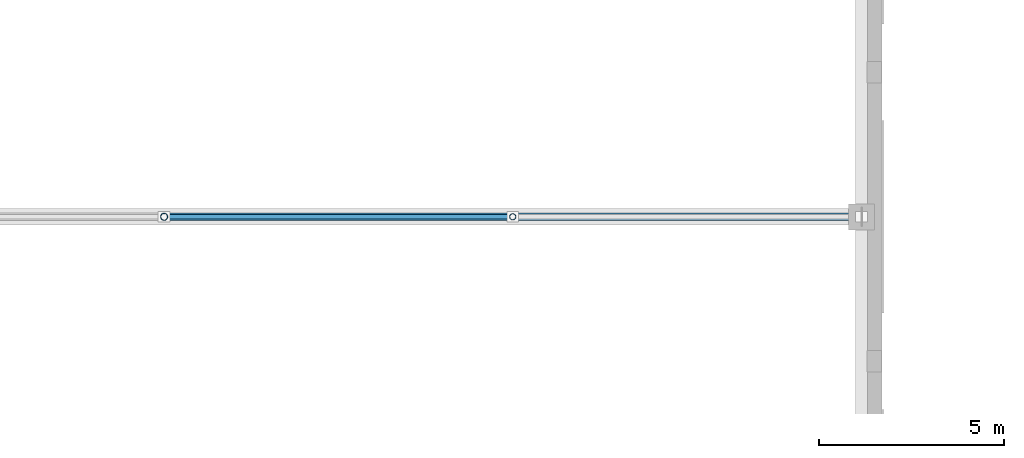
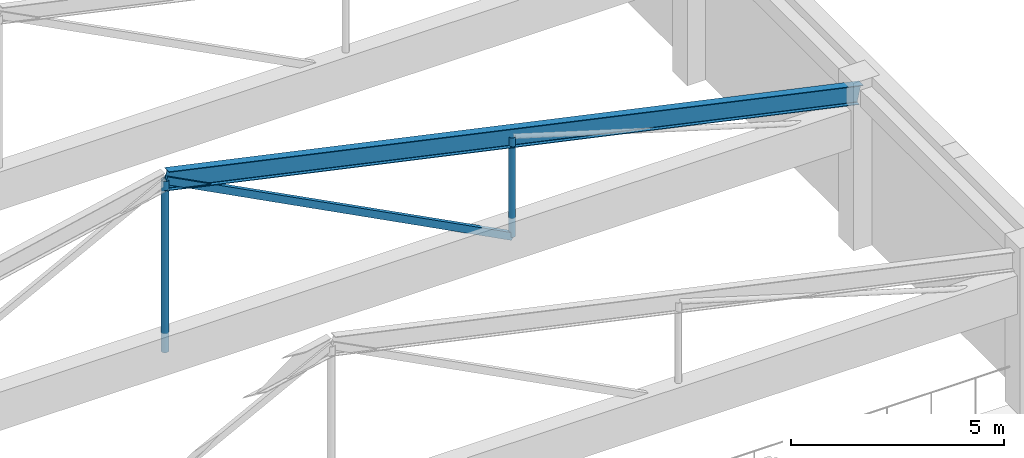
# One storey, part 28 of 105: 3 members, 1 beam.
"""IFC4 building model written with IfcOpenShell, lengths in metres."""

from ifc_helpers import new_model, si_unit, direction, frame, origin, origin_2d, place, context, subcontext, project, spatial, hollow_rectangle, hollow_circle, i_section, extrude, material, material_profile, profile_set, type_object, element, save


model = new_model("IFC4")

# Units and contexts
model_context = context("Model", 3, precision=1e-05, world=origin(), true_north=direction((0.0, 1.0)))
body_context = subcontext(model_context, "Body", "Model", "MODEL_VIEW")
ifc_project = project(units=[si_unit("LENGTHUNIT", "METRE"), si_unit("AREAUNIT", "SQUARE_METRE"), si_unit("VOLUMEUNIT", "CUBIC_METRE"), si_unit("PLANEANGLEUNIT", "RADIAN"), si_unit("MASSUNIT", "GRAM", prefix="KILO")], contexts=[model_context])

# Site, building, storey
site_placement = place(None, origin())
site = spatial("IfcSite", under=ifc_project, at=site_placement, CompositionType="ELEMENT")
building_placement = place(site_placement, origin())
building = spatial("IfcBuilding", under=site, at=building_placement, Name="Pelvatis Terrace Science Centre", CompositionType="ELEMENT")
storey_placement = place(building_placement, frame((0.0, 0.0, 10.199951171875)))
storey = spatial("IfcBuildingStorey", under=building, at=storey_placement, Name="L02", CompositionType="ELEMENT", Elevation=10.199951171875)

# Beam
ifc_material_1 = material(Name="Structural steel S355", Category="steel")
ifc_material_profile_1 = material_profile(ifc_material_1, i_section(OverallWidth=0.208984375, OverallDepth=0.532958984375, WebThickness=0.01025390625, FlangeThickness=0.015625, FilletRadius=0.013916015625, at=origin_2d()), Name="W530x92")
ifc_profile_set_1 = profile_set([ifc_material_profile_1], Name="Structural steel S355")
beam_type = type_object("IfcBeamType", Name="BM-STL-W530x92", PredefinedType="BEAM", material=ifc_profile_set_1)
beam_placement = place(storey_placement, frame((27.300048828125, 93.60009765625, 8.300048828125), z_axis=(0.977034495262, 0.0, -0.213081193603), x_axis=(0.0, 1.0, 0.0)))
element("IfcBeam", 1, at=beam_placement, inside=storey, type_object=beam_type, Name="Theatre roof truss 4 east top girder", PredefinedType="BEAM", context=body_context, shape_type="SweptSolid", body=[
    extrude(i_section(OverallWidth=0.208984375, OverallDepth=0.532958984375, WebThickness=0.01025390625, FlangeThickness=0.015625, FilletRadius=0.013916015625, at=origin_2d()), origin(), (0.0, 0.0, 1.0), 19.241943359375),
])

# Members
ifc_material_2 = material(Name="Structural steel S355", Category="steel")
ifc_material_profile_2 = material_profile(ifc_material_2, hollow_rectangle(XDim=0.1201171875, YDim=0.199951171875, WallThickness=0.00634765625, at=origin_2d()), Name="RHS 200x120x6.3")
ifc_profile_set_2 = profile_set([ifc_material_profile_2], Name="Structural steel S355")
member_type_1 = type_object("IfcMemberType", Name="MEM-BRC-RHS200", PredefinedType="BRACE", material=ifc_profile_set_2)
member_1_placement = place(storey_placement, frame((36.699951171875, 93.60009765625, 3.400146484375), z_axis=(-0.886754801101, 0.0, 0.462240113711), x_axis=(0.0, -1.0, 0.0)))
element("IfcMember", 2, at=member_1_placement, inside=storey, type_object=member_type_1, Name="Theatre truss 4 web 6", PredefinedType="BRACE", context=body_context, shape_type="SweptSolid", body=[
    extrude(hollow_rectangle(XDim=0.1201171875, YDim=0.199951171875, WallThickness=0.00634765625, at=origin_2d()), origin(), (0.0, 0.0, 1.0), 10.600341796875),
])
ifc_material_3 = material(Name="Structural steel S355", Category="steel")
ifc_material_profile_3 = material_profile(ifc_material_3, hollow_circle(Radius=0.084228515625, WallThickness=0.00634765625, at=origin_2d()), Name="CHS 168.3x6.3")
ifc_profile_set_3 = profile_set([ifc_material_profile_3], Name="Structural steel S355")
member_type_2 = type_object("IfcMemberType", Name="MEM-STR-CHS168", PredefinedType="STRUT", material=ifc_profile_set_3)
member_2_placement = place(storey_placement, frame((36.699951171875, 93.60009765625, 3.400146484375), z_axis=(0.0, 0.0, 1.0), x_axis=(1.0, 0.0, 0.0)))
element("IfcMember", 3, at=member_2_placement, inside=storey, type_object=member_type_2, Name="Theatre truss 4 web 2", PredefinedType="STRUT", context=body_context, shape_type="SweptSolid", body=[
    extrude(hollow_circle(Radius=0.084228515625, WallThickness=0.00634765625, at=origin_2d()), origin(), (0.0, 0.0, 1.0), 2.849853515625),
])
ifc_material_4 = material(Name="Structural steel S355", Category="steel")
ifc_material_profile_4 = material_profile(ifc_material_4, hollow_circle(Radius=0.096923828125, WallThickness=0.008056640625, at=origin_2d()), Name="CHS 193.7x8.0")
ifc_profile_set_4 = profile_set([ifc_material_profile_4], Name="Structural steel S355")
member_type_3 = type_object("IfcMemberType", Name="MEM-STR-CHS194", PredefinedType="STRUT", material=ifc_profile_set_4)
member_3_placement = place(storey_placement, frame((27.300048828125, 93.60009765625, 3.400146484375), z_axis=(0.0, 0.0, 1.0), x_axis=(1.0, 0.0, 0.0)))
element("IfcMember", 4, at=member_3_placement, inside=storey, type_object=member_type_3, Name="Theatre roof truss 4 king strut", PredefinedType="STRUT", context=body_context, shape_type="SweptSolid", body=[
    extrude(hollow_circle(Radius=0.096923828125, WallThickness=0.008056640625, at=origin_2d()), origin(), (0.0, 0.0, 1.0), 4.89990234375),
])

save(model, "model.ifc")
